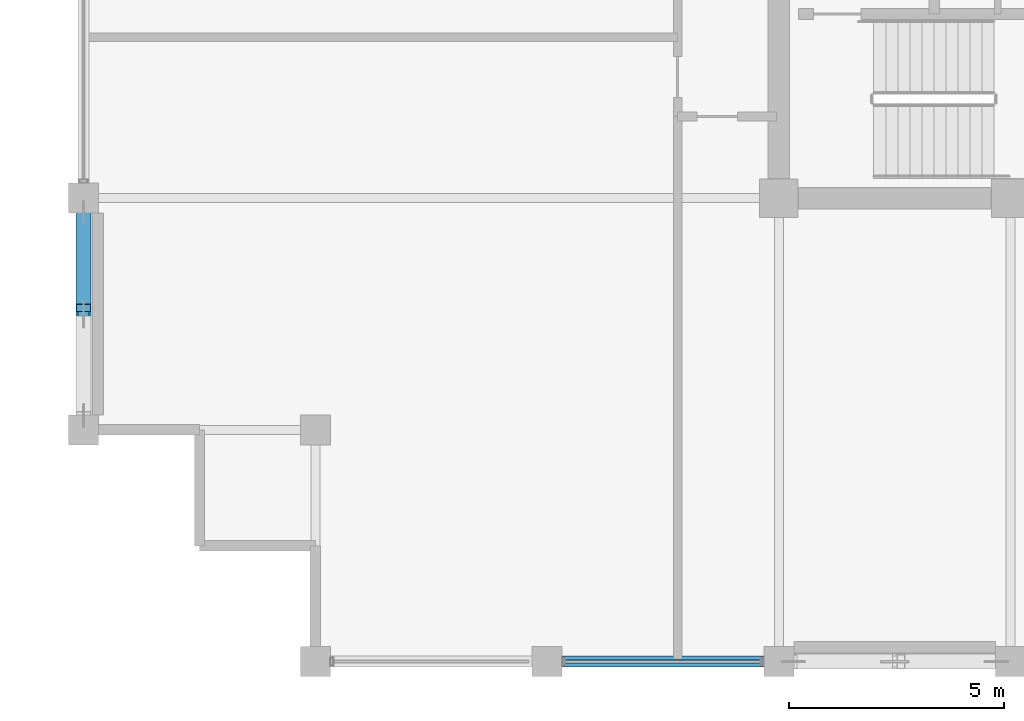
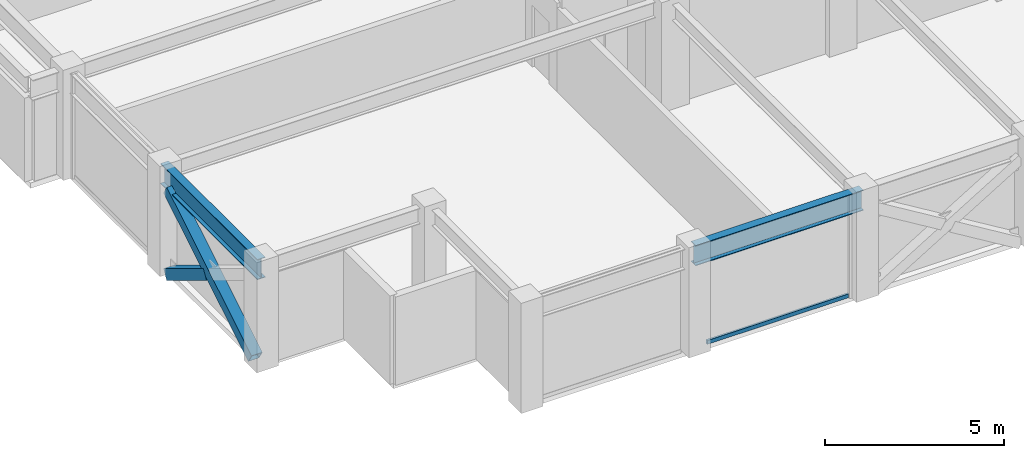
# One storey, part 3 of 30: 3 members, 2 beams, 1 element without a shape of its own.
"""IFC4 building model written with IfcOpenShell, lengths in metres."""

from ifc_helpers import new_model, si_unit, direction, frame, origin, origin_2d, place, context, subcontext, project, spatial, hollow_rectangle, i_section, extrude, material, layer, layer_set, material_profile, profile_set, type_object, element, aggregate, save


model = new_model("IFC4")

# Units and contexts
model_context = context("Model", 3, precision=1e-05, world=origin(), true_north=direction((0.0, 1.0)))
body_context = subcontext(model_context, "Body", "Model", "MODEL_VIEW")
ifc_project = project(units=[si_unit("LENGTHUNIT", "METRE"), si_unit("AREAUNIT", "SQUARE_METRE"), si_unit("VOLUMEUNIT", "CUBIC_METRE"), si_unit("PLANEANGLEUNIT", "RADIAN"), si_unit("MASSUNIT", "GRAM", prefix="KILO")], contexts=[model_context])

# Site, building, storey
site_placement = place(None, origin())
site = spatial("IfcSite", under=ifc_project, at=site_placement, CompositionType="ELEMENT")
building_placement = place(site_placement, origin())
building = spatial("IfcBuilding", under=site, at=building_placement, Name="Surkhivell Harbour Commons", CompositionType="ELEMENT")
storey_placement = place(building_placement, frame((0.0, 0.0, 303.75)))
storey = spatial("IfcBuildingStorey", under=building, at=storey_placement, Name="L79", CompositionType="ELEMENT", Elevation=303.75)

# Beams
ifc_material_1 = material(Name="Steel S355", Category="steel")
ifc_material_profile_1 = material_profile(ifc_material_1, i_section(OverallWidth=0.256103515625, OverallDepth=0.693115234375, WebThickness=0.014404296875, FlangeThickness=0.023681640625, at=origin_2d()), Name="UB686x254x170")
ifc_profile_set_1 = profile_set([ifc_material_profile_1], Name="Steel S355")
beam_type = type_object("IfcBeamType", Name="BM-SPN-686", PredefinedType="SPANDREL", material=ifc_profile_set_1)
for number, where, z_axis, x_axis, name in (
    (1, (-27.0, -16.199951171875, 3.223388671875), (0.0, 1.0, 0.0), (-1.0, 0.0, 0.0), "L79 Tube Spandrel (-27.0,-16.2)"),
    (2, (-16.199951171875, -21.60009765625, 3.223388671875), (1.0, 0.0, 0.0), (0.0, 1.0, 0.0), "L79 Tube Spandrel (-16.2,-21.6)"),
):
    element("IfcBeam", number, at=place(storey_placement, frame(where, z_axis=z_axis, x_axis=x_axis)), inside=storey, type_object=beam_type, Name=name, PredefinedType="SPANDREL", context=body_context, shape_type="SweptSolid", body=[
        extrude(i_section(OverallWidth=0.256103515625, OverallDepth=0.693115234375, WebThickness=0.014404296875, FlangeThickness=0.023681640625, at=origin_2d()), origin(), (0.0, 0.0, 1.0), 5.39990234375),
    ])

# Curtain wall, member
ifc_material_2 = material(Name="Anodised pale-metal aluminium and insulated glazing", Category="aluminium")
ifc_layer = layer(ifc_material_2, 0.175048828125)
ifc_layer_set = layer_set([ifc_layer], Name="Anodised pale-metal aluminium and insulated glazing")
curtain_wall_type = type_object("IfcCurtainWallType", Name="CW-SYS-Z4", PredefinedType="NOTDEFINED", material=ifc_layer_set)
curtain_wall_placement = place(storey_placement, origin())
curtain_wall = element("IfcCurtainWall", 3, at=curtain_wall_placement, inside=storey, type_object=curtain_wall_type, Name="L79 Curtain Wall CW-L79-E00S1", PredefinedType="NOTDEFINED")
ifc_material_3 = material(Name="Champagne anodised aluminium alloy 6063-T6", Category="aluminium")
ifc_material_profile_2 = material_profile(ifc_material_3, hollow_rectangle(XDim=0.070068359375, YDim=0.1298828125, WallThickness=0.00341796875, at=origin_2d()), Name="ALU-TRAN-70x130")
ifc_profile_set_2 = profile_set([ifc_material_profile_2], Name="Champagne anodised aluminium alloy 6063-T6")
member_type_1 = type_object("IfcMemberType", Name="CWT-130", PredefinedType="USERDEFINED", material=ifc_profile_set_2)
member_1_placement = place(storey_placement, frame((-15.77294921875, -21.60009765625, 0.06494140625), z_axis=(1.0, 0.0, 0.0), x_axis=(0.0, 1.0, 0.0)))
member_1 = element("IfcMember", 4, at=member_1_placement, type_object=member_type_1, Name="CW-Z4 transom 2.1", ObjectType="TRANSOM", PredefinedType="USERDEFINED", context=body_context, shape_type="SweptSolid", body=[
    extrude(hollow_rectangle(XDim=0.070068359375, YDim=0.1298828125, WallThickness=0.00341796875, at=origin_2d()), origin(), (0.0, 0.0, 1.0), 4.5458984375),
])
aggregate(curtain_wall, [member_1])

# Members
ifc_material_profile_3 = material_profile(ifc_material_1, hollow_rectangle(XDim=0.35009765625, YDim=0.35009765625, WallThickness=0.01611328125, at=origin_2d()), Name="SHS350x350x16")
ifc_profile_set_3 = profile_set([ifc_material_profile_3], Name="Steel S355")
member_type_2 = type_object("IfcMemberType", Name="MEM-BRC-SHS350", PredefinedType="BRACE", material=ifc_profile_set_3)
member_2_placement = place(storey_placement, frame((-27.0, -15.864990234375, 0.008056640625), z_axis=(0.0, 0.854685454322, 0.519146197299), x_axis=(-1.0, 0.0, 0.0)))
element("IfcMember", 5, at=member_2_placement, inside=storey, type_object=member_type_2, Name="L79 Perimeter Mega-Brace MB- 10", PredefinedType="BRACE", context=body_context, shape_type="SweptSolid", body=[
    extrude(hollow_rectangle(XDim=0.35009765625, YDim=0.35009765625, WallThickness=0.01611328125, at=origin_2d()), origin(), (0.0, 0.0, 1.0), 5.5341796875),
])
member_3_placement = place(storey_placement, frame((-27.0, -11.135009765625, 0.008056640625), z_axis=(0.0, -0.854678858595, 0.51915705588), x_axis=(1.0, 0.0, 0.0)))
element("IfcMember", 6, at=member_3_placement, inside=storey, type_object=member_type_2, Name="L79 Perimeter Mega-Brace MB- 11", PredefinedType="BRACE", context=body_context, shape_type="SweptSolid", body=[
    extrude(hollow_rectangle(XDim=0.35009765625, YDim=0.35009765625, WallThickness=0.01611328125, at=origin_2d()), origin(), (0.0, 0.0, 1.0), 2.59912109375),
])

save(model, "model.ifc")
